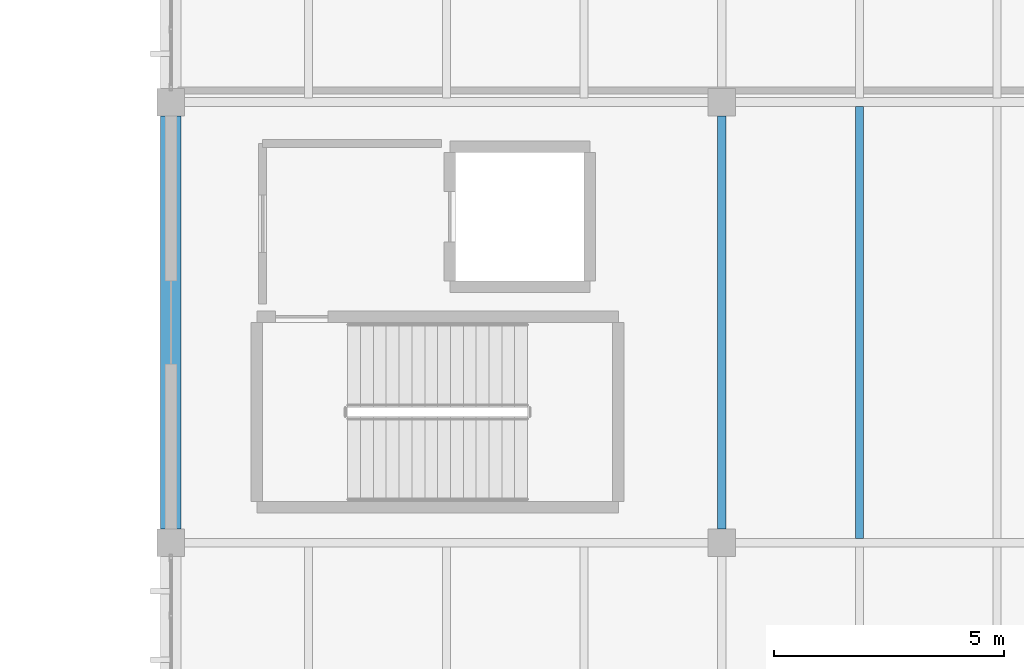
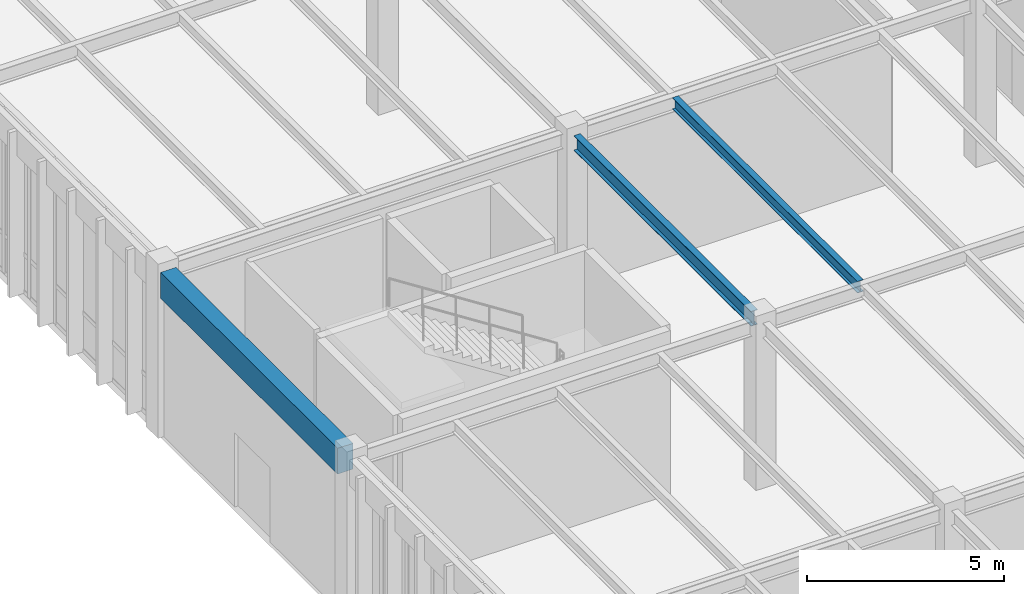
# One storey, part 104 of 188: 3 beams.
"""IFC4 building model written with IfcOpenShell, lengths in metres."""

from ifc_helpers import new_model, si_unit, direction, frame, origin, origin_2d, place, context, subcontext, project, spatial, rectangle, i_section, extrude, material, material_profile, profile_set, type_object, element, save


model = new_model("IFC4")

# Units and contexts
model_context = context("Model", 3, precision=1e-05, world=origin(), true_north=direction((0.0, 1.0)))
body_context = subcontext(model_context, "Body", "Model", "MODEL_VIEW")
ifc_project = project(units=[si_unit("LENGTHUNIT", "METRE"), si_unit("AREAUNIT", "SQUARE_METRE"), si_unit("VOLUMEUNIT", "CUBIC_METRE"), si_unit("PLANEANGLEUNIT", "RADIAN"), si_unit("MASSUNIT", "GRAM", prefix="KILO")], contexts=[model_context])

# Site, building, storey
site_placement = place(None, origin())
site = spatial("IfcSite", under=ifc_project, at=site_placement, CompositionType="ELEMENT")
building_placement = place(site_placement, origin())
building = spatial("IfcBuilding", under=site, at=building_placement, Name="Pandanus Reach Market Hall", CompositionType="ELEMENT")
storey_placement = place(building_placement, origin())
storey = spatial("IfcBuildingStorey", under=building, at=storey_placement, Name="L00", CompositionType="ELEMENT", Elevation=0.0)

# Beams
ifc_material_1 = material(Name="Concrete N40 (40 MPa)", Category="concrete")
ifc_material_profile_1 = material_profile(ifc_material_1, rectangle(XDim=0.449951171875, YDim=0.800048828125, at=origin_2d()), Name="RC450x800", Category="LoadBearing")
ifc_profile_set_1 = profile_set([ifc_material_profile_1], Name="Concrete N40 (40 MPa)")
beam_type_1 = type_object("IfcBeamType", Name="BM-RC450-E", PredefinedType="SPANDREL", material=ifc_profile_set_1)
beam_1_placement = place(storey_placement, frame((144.0, 48.298095703125, 4.72509765625), z_axis=(0.0, 1.0, 0.0), x_axis=(-1.0, 0.0, 0.0)))
element("IfcBeam", 1, at=beam_1_placement, inside=storey, type_object=beam_type_1, Name="Framing beam BM-RC450-E L00.193", PredefinedType="SPANDREL", context=body_context, shape_type="SweptSolid", body=[
    extrude(rectangle(XDim=0.449951171875, YDim=0.800048828125, at=origin_2d()), origin(), (0.0, 0.0, 1.0), 9.00390625),
])
ifc_material_2 = material(Name="Steel Grade 350 (350 MPa)", Category="steel")
ifc_material_profile_2 = material_profile(ifc_material_2, i_section(OverallWidth=0.19091796875, OverallDepth=0.4599609375, WebThickness=0.010009765625, FlangeThickness=0.01611328125, at=origin_2d()), Name="460UB82.1", Category="LoadBearing")
ifc_profile_set_2 = profile_set([ifc_material_profile_2], Name="Steel Grade 350 (350 MPa)")
beam_type_2 = type_object("IfcBeamType", Name="BM-UB460H-I", PredefinedType="BEAM", material=ifc_profile_set_2)
beam_2_placement = place(storey_placement, frame((156.0, 48.298095703125, 4.89453125), z_axis=(0.0, 1.0, 0.0), x_axis=(-1.0, 0.0, 0.0)))
element("IfcBeam", 2, at=beam_2_placement, inside=storey, type_object=beam_type_2, Name="Framing beam BM-UB460H-I L00.203", PredefinedType="BEAM", context=body_context, shape_type="SweptSolid", body=[
    extrude(i_section(OverallWidth=0.19091796875, OverallDepth=0.4599609375, WebThickness=0.010009765625, FlangeThickness=0.01611328125, at=origin_2d()), origin(), (0.0, 0.0, 1.0), 9.00390625),
])
ifc_material_profile_3 = material_profile(ifc_material_2, i_section(OverallWidth=0.172119140625, OverallDepth=0.35888671875, WebThickness=0.008056640625, FlangeThickness=0.012939453125, at=origin_2d()), Name="360UB56.7", Category="LoadBearing")
ifc_profile_set_3 = profile_set([ifc_material_profile_3], Name="Steel Grade 350 (350 MPa)")
beam_type_3 = type_object("IfcBeamType", Name="JS-UB360H-I", PredefinedType="JOIST", material=ifc_profile_set_3)
beam_3_placement = place(storey_placement, frame((159.0, 48.093505859375, 4.945068359375), z_axis=(0.0, 1.0, 0.0), x_axis=(-1.0, 0.0, 0.0)))
element("IfcBeam", 3, at=beam_3_placement, inside=storey, type_object=beam_type_3, Name="Secondary joist JS-UB360H-I L00.267", PredefinedType="JOIST", context=body_context, shape_type="SweptSolid", body=[
    extrude(i_section(OverallWidth=0.172119140625, OverallDepth=0.35888671875, WebThickness=0.008056640625, FlangeThickness=0.012939453125, at=origin_2d()), origin(), (0.0, 0.0, 1.0), 9.4130859375),
])

save(model, "model.ifc")
